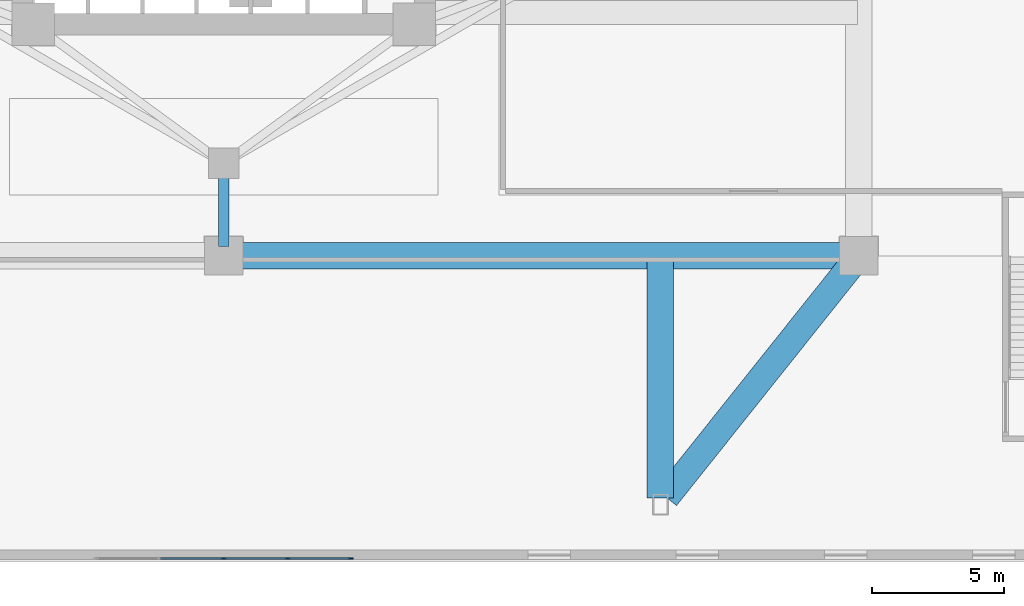
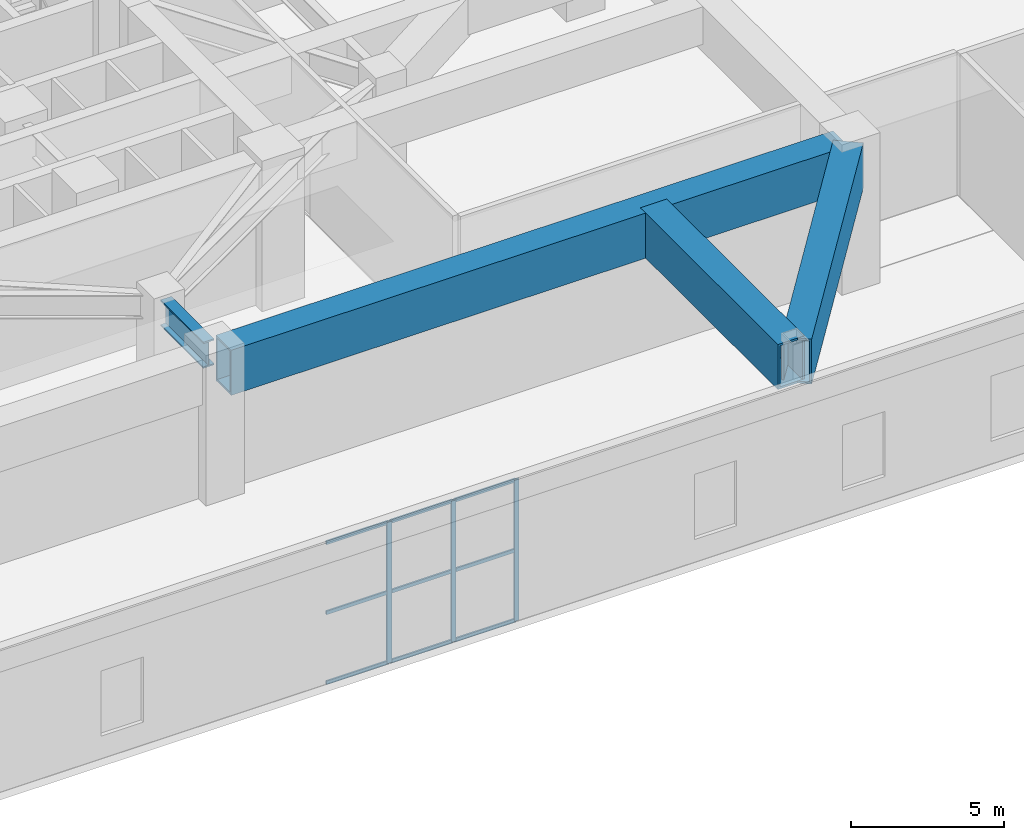
# One storey, part 4 of 24: 12 members, 4 beams, 1 element without a shape of its own.
"""IFC4 building model written with IfcOpenShell, lengths in metres."""

from ifc_helpers import new_model, si_unit, direction, frame, origin, origin_2d, place, context, subcontext, project, spatial, rectangle, hollow_rectangle, i_section, extrude, material, layer, layer_set, material_profile, profile_set, type_object, element, aggregate, save


model = new_model("IFC4")

# Units and contexts
model_context = context("Model", 3, precision=1e-05, world=origin(), true_north=direction((0.0, 1.0)))
body_context = subcontext(model_context, "Body", "Model", "MODEL_VIEW")
ifc_project = project(units=[si_unit("LENGTHUNIT", "METRE"), si_unit("AREAUNIT", "SQUARE_METRE"), si_unit("VOLUMEUNIT", "CUBIC_METRE"), si_unit("PLANEANGLEUNIT", "RADIAN"), si_unit("MASSUNIT", "GRAM", prefix="KILO")], contexts=[model_context])

# Site, building, storey
site_placement = place(None, origin())
site = spatial("IfcSite", under=ifc_project, at=site_placement, CompositionType="ELEMENT")
building_placement = place(site_placement, origin())
building = spatial("IfcBuilding", under=site, at=building_placement, Name="Apsidion Concourse Tower", CompositionType="ELEMENT")
storey_placement = place(building_placement, frame((0.0, 0.0, 17.5)))
storey = spatial("IfcBuildingStorey", under=building, at=storey_placement, Name="L03", CompositionType="ELEMENT", Elevation=17.5)

# Beams
ifc_material_1 = material(Name="Structural steel ASTM A992 Grade 50", Category="steel")
ifc_material_profile_1 = material_profile(ifc_material_1, i_section(OverallWidth=0.408935546875, OverallDepth=1.041015625, WebThickness=0.031005859375, FlangeThickness=0.055908203125, at=origin_2d()), Name="W40X397")
ifc_profile_set_1 = profile_set([ifc_material_profile_1], Name="Structural steel ASTM A992 Grade 50")
beam_type_1 = type_object("IfcBeamType", Name="BM-G-W40H", PredefinedType="USERDEFINED", material=ifc_profile_set_1)
beam_1_placement = place(storey_placement, frame((0.0, -17.64990234375, 5.179443359375), z_axis=(0.0, 1.0, 0.0), x_axis=(-1.0, 0.0, 0.0)))
element("IfcBeam", 1, at=beam_1_placement, inside=storey, type_object=beam_type_1, Name="L03 Podium Girder MC7-IC6", ObjectType="GIRDER", PredefinedType="USERDEFINED", context=body_context, shape_type="SweptSolid", body=[
    extrude(i_section(OverallWidth=0.408935546875, OverallDepth=1.041015625, WebThickness=0.031005859375, FlangeThickness=0.055908203125, at=origin_2d()), origin(), (0.0, 0.0, 1.0), 2.7998046875),
])
ifc_material_2 = material(Name="Structural steel ASTM A572 Grade 50", Category="steel")
ifc_material_profile_2 = material_profile(ifc_material_2, hollow_rectangle(XDim=1.0, YDim=1.800048828125, WallThickness=0.080078125, at=origin_2d()), Name="BOX1800X1000X80")
ifc_profile_set_2 = profile_set([ifc_material_profile_2], Name="Structural steel ASTM A572 Grade 50")
beam_type_2 = type_object("IfcBeamType", Name="BM-TR-1800", PredefinedType="USERDEFINED", material=ifc_profile_set_2)
beam_2_placement = place(storey_placement, frame((0.35009765625, -18.0, 4.800048828125), z_axis=(1.0, 0.0, 0.0), x_axis=(0.0, 1.0, 0.0)))
element("IfcBeam", 2, at=beam_2_placement, inside=storey, type_object=beam_type_2, Name="L03 Podium Transfer Collector Girder MC7-MC2", ObjectType="GIRDER", PredefinedType="USERDEFINED", context=body_context, shape_type="SweptSolid", body=[
    extrude(hollow_rectangle(XDim=1.0, YDim=1.800048828125, WallThickness=0.080078125, at=origin_2d()), origin(), (0.0, 0.0, 1.0), 23.2998046875),
])
beam_3_placement = place(storey_placement, frame((16.5, -27.14990234375, 4.800048828125), z_axis=(0.0, 1.0, 0.0), x_axis=(-1.0, 0.0, 0.0)))
element("IfcBeam", 3, at=beam_3_placement, inside=storey, type_object=beam_type_2, Name="L03 Podium Radial Frame Girder PC10", ObjectType="GIRDER", PredefinedType="USERDEFINED", context=body_context, shape_type="SweptSolid", body=[
    extrude(hollow_rectangle(XDim=1.0, YDim=1.800048828125, WallThickness=0.080078125, at=origin_2d()), origin(), (0.0, 0.0, 1.0), 9.0),
])
beam_4_placement = place(storey_placement, frame((16.71826171875, -27.12646484375, 4.800048828125), z_axis=(0.623685030382, 0.781675753031, 0.0), x_axis=(-0.781675753031, 0.623685030382, 0.0)))
element("IfcBeam", 4, at=beam_4_placement, inside=storey, type_object=beam_type_2, Name="L03 Podium Diagonal Frame Tie PC10", ObjectType="GIRDER", PredefinedType="USERDEFINED", context=body_context, shape_type="SweptSolid", body=[
    extrude(hollow_rectangle(XDim=1.0, YDim=1.800048828125, WallThickness=0.080078125, at=origin_2d()), origin(), (0.0, 0.0, 1.0), 11.325439453125),
])

# Curtain wall, members
ifc_material_3 = material(Name="Insulated laminated low-E glass", Category="glass")
ifc_layer = layer(ifc_material_3, 0.199951171875)
ifc_layer_set = layer_set([ifc_layer], Name="Insulated laminated low-E glass")
curtain_wall_type = type_object("IfcCurtainWallType", Name="CW-SYS-02", PredefinedType="NOTDEFINED", material=ifc_layer_set)
curtain_wall_placement = place(storey_placement, origin())
curtain_wall = element("IfcCurtainWall", 5, at=curtain_wall_placement, inside=storey, type_object=curtain_wall_type, Name="L03 Podium Glazed Curtain Wall S", PredefinedType="NOTDEFINED")
ifc_material_4 = material(Name="Anodised aluminium EN AW-6063 T6", Category="aluminium")
ifc_material_profile_3 = material_profile(ifc_material_4, rectangle(XDim=0.06494140625, YDim=0.179931640625, at=origin_2d()), Name="ALU MULLION 65x180")
ifc_profile_set_3 = profile_set([ifc_material_profile_3], Name="Anodised aluminium EN AW-6063 T6")
member_type_1 = type_object("IfcMemberType", Name="CWM-65X180", PredefinedType="MULLION", material=ifc_profile_set_3)
member_1_placement = place(storey_placement, frame((4.803466796875, -29.43994140625, 0.0), z_axis=(0.0, 0.0, 1.0), x_axis=(0.0, -1.0, 0.0)))
member_1 = element("IfcMember", 6, at=member_1_placement, type_object=member_type_1, Name="CW-02 mullion 1", PredefinedType="MULLION", context=body_context, shape_type="SweptSolid", body=[
    extrude(rectangle(XDim=0.06494140625, YDim=0.179931640625, at=origin_2d()), origin(), (0.0, 0.0, 1.0), 5.64990234375),
])
member_2_placement = place(storey_placement, frame((2.41796875, -29.43994140625, 0.0), z_axis=(0.0, 0.0, 1.0), x_axis=(0.0, -1.0, 0.0)))
member_2 = element("IfcMember", 7, at=member_2_placement, type_object=member_type_1, Name="CW-02 mullion 2", PredefinedType="MULLION", context=body_context, shape_type="SweptSolid", body=[
    extrude(rectangle(XDim=0.06494140625, YDim=0.179931640625, at=origin_2d()), origin(), (0.0, 0.0, 1.0), 5.64990234375),
])
member_3_placement = place(storey_placement, frame((0.0, -29.43994140625, 0.0), z_axis=(0.0, 0.0, 1.0), x_axis=(0.0, -1.0, 0.0)))
member_3 = element("IfcMember", 8, at=member_3_placement, type_object=member_type_1, Name="CW-02 mullion 3", PredefinedType="MULLION", context=body_context, shape_type="SweptSolid", body=[
    extrude(rectangle(XDim=0.06494140625, YDim=0.179931640625, at=origin_2d()), origin(), (0.0, 0.0, 1.0), 5.64990234375),
])
ifc_material_profile_4 = material_profile(ifc_material_4, rectangle(XDim=0.06494140625, YDim=0.139892578125, at=origin_2d()), Name="ALU TRANSOM 65x140")
ifc_profile_set_4 = profile_set([ifc_material_profile_4], Name="Anodised aluminium EN AW-6063 T6")
member_type_2 = type_object("IfcMemberType", Name="CWT-65X140", PredefinedType="USERDEFINED", material=ifc_profile_set_4)
member_4_placement = place(storey_placement, frame((4.77099609375, -29.43994140625, 0.032470703125), z_axis=(-1.0, 0.0, 0.0), x_axis=(0.0, -1.0, 0.0)))
member_4 = element("IfcMember", 9, at=member_4_placement, type_object=member_type_2, Name="CW-02 transom 1.1", ObjectType="TRANSOM", PredefinedType="USERDEFINED", context=body_context, shape_type="SweptSolid", body=[
    extrude(rectangle(XDim=0.06494140625, YDim=0.139892578125, at=origin_2d()), origin(), (0.0, 0.0, 1.0), 2.320556640625),
])
member_5_placement = place(storey_placement, frame((4.77099609375, -29.43994140625, 2.824951171875), z_axis=(-1.0, 0.0, 0.0), x_axis=(0.0, -1.0, 0.0)))
member_5 = element("IfcMember", 10, at=member_5_placement, type_object=member_type_2, Name="CW-02 transom 1.2", ObjectType="TRANSOM", PredefinedType="USERDEFINED", context=body_context, shape_type="SweptSolid", body=[
    extrude(rectangle(XDim=0.06494140625, YDim=0.139892578125, at=origin_2d()), origin(), (0.0, 0.0, 1.0), 2.320556640625),
])
member_6_placement = place(storey_placement, frame((4.77099609375, -29.43994140625, 5.617431640625), z_axis=(-1.0, 0.0, 0.0), x_axis=(0.0, -1.0, 0.0)))
member_6 = element("IfcMember", 11, at=member_6_placement, type_object=member_type_2, Name="CW-02 transom 1.3", ObjectType="TRANSOM", PredefinedType="USERDEFINED", context=body_context, shape_type="SweptSolid", body=[
    extrude(rectangle(XDim=0.06494140625, YDim=0.139892578125, at=origin_2d()), origin(), (0.0, 0.0, 1.0), 2.320556640625),
])
member_7_placement = place(storey_placement, frame((2.385498046875, -29.43994140625, 0.032470703125), z_axis=(-1.0, 0.0, 0.0), x_axis=(0.0, -1.0, 0.0)))
member_7 = element("IfcMember", 12, at=member_7_placement, type_object=member_type_2, Name="CW-02 transom 2.1", ObjectType="TRANSOM", PredefinedType="USERDEFINED", context=body_context, shape_type="SweptSolid", body=[
    extrude(rectangle(XDim=0.06494140625, YDim=0.139892578125, at=origin_2d()), origin(), (0.0, 0.0, 1.0), 2.35302734375),
])
member_8_placement = place(storey_placement, frame((2.385498046875, -29.43994140625, 2.824951171875), z_axis=(-1.0, 0.0, 0.0), x_axis=(0.0, -1.0, 0.0)))
member_8 = element("IfcMember", 13, at=member_8_placement, type_object=member_type_2, Name="CW-02 transom 2.2", ObjectType="TRANSOM", PredefinedType="USERDEFINED", context=body_context, shape_type="SweptSolid", body=[
    extrude(rectangle(XDim=0.06494140625, YDim=0.139892578125, at=origin_2d()), origin(), (0.0, 0.0, 1.0), 2.35302734375),
])
member_9_placement = place(storey_placement, frame((2.385498046875, -29.43994140625, 5.617431640625), z_axis=(-1.0, 0.0, 0.0), x_axis=(0.0, -1.0, 0.0)))
member_9 = element("IfcMember", 14, at=member_9_placement, type_object=member_type_2, Name="CW-02 transom 2.3", ObjectType="TRANSOM", PredefinedType="USERDEFINED", context=body_context, shape_type="SweptSolid", body=[
    extrude(rectangle(XDim=0.06494140625, YDim=0.139892578125, at=origin_2d()), origin(), (0.0, 0.0, 1.0), 2.35302734375),
])
member_10_placement = place(storey_placement, frame((-0.032470703125, -29.43994140625, 0.032470703125), z_axis=(-1.0, 0.0, 0.0), x_axis=(0.0, -1.0, 0.0)))
member_10 = element("IfcMember", 15, at=member_10_placement, type_object=member_type_2, Name="CW-02 transom 3.1", ObjectType="TRANSOM", PredefinedType="USERDEFINED", context=body_context, shape_type="SweptSolid", body=[
    extrude(rectangle(XDim=0.06494140625, YDim=0.139892578125, at=origin_2d()), origin(), (0.0, 0.0, 1.0), 2.35302734375),
])
member_11_placement = place(storey_placement, frame((-0.032470703125, -29.43994140625, 2.824951171875), z_axis=(-1.0, 0.0, 0.0), x_axis=(0.0, -1.0, 0.0)))
member_11 = element("IfcMember", 16, at=member_11_placement, type_object=member_type_2, Name="CW-02 transom 3.2", ObjectType="TRANSOM", PredefinedType="USERDEFINED", context=body_context, shape_type="SweptSolid", body=[
    extrude(rectangle(XDim=0.06494140625, YDim=0.139892578125, at=origin_2d()), origin(), (0.0, 0.0, 1.0), 2.35302734375),
])
member_12_placement = place(storey_placement, frame((-0.032470703125, -29.43994140625, 5.617431640625), z_axis=(-1.0, 0.0, 0.0), x_axis=(0.0, -1.0, 0.0)))
member_12 = element("IfcMember", 17, at=member_12_placement, type_object=member_type_2, Name="CW-02 transom 3.3", ObjectType="TRANSOM", PredefinedType="USERDEFINED", context=body_context, shape_type="SweptSolid", body=[
    extrude(rectangle(XDim=0.06494140625, YDim=0.139892578125, at=origin_2d()), origin(), (0.0, 0.0, 1.0), 2.35302734375),
])
aggregate(curtain_wall, [member_1, member_2, member_3, member_4, member_5, member_6, member_7, member_8, member_9, member_10, member_11, member_12])

save(model, "model.ifc")
